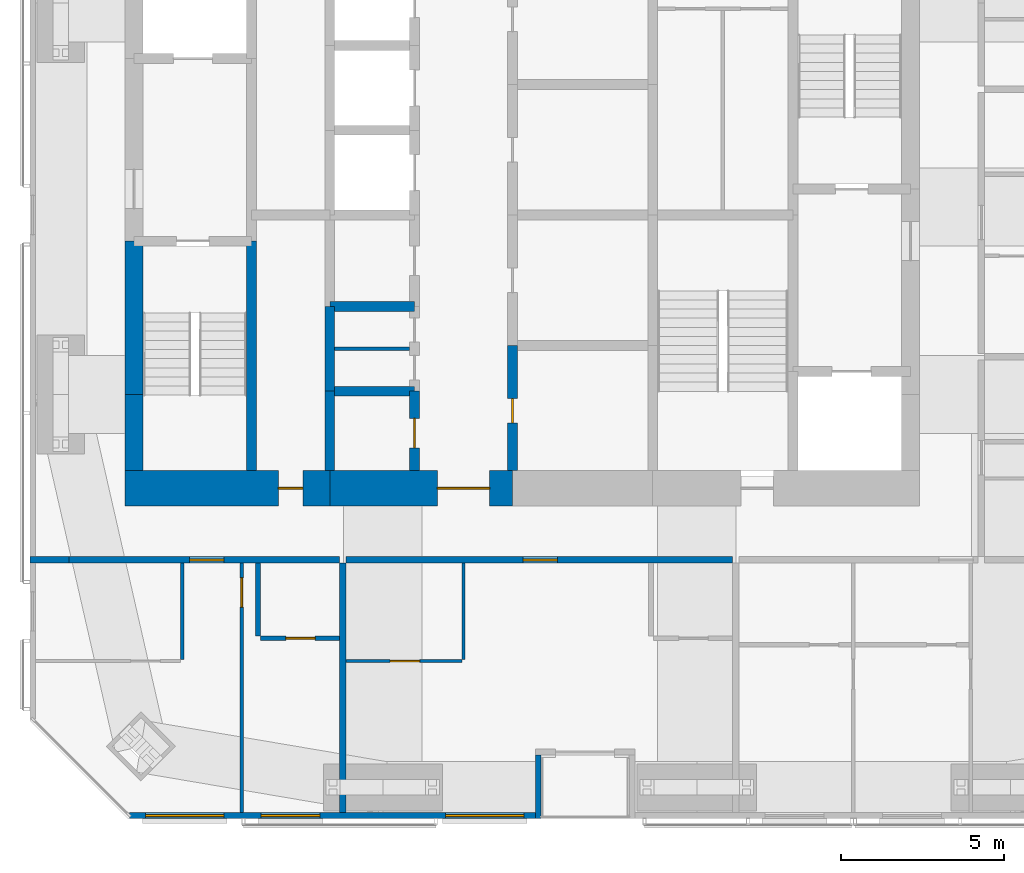
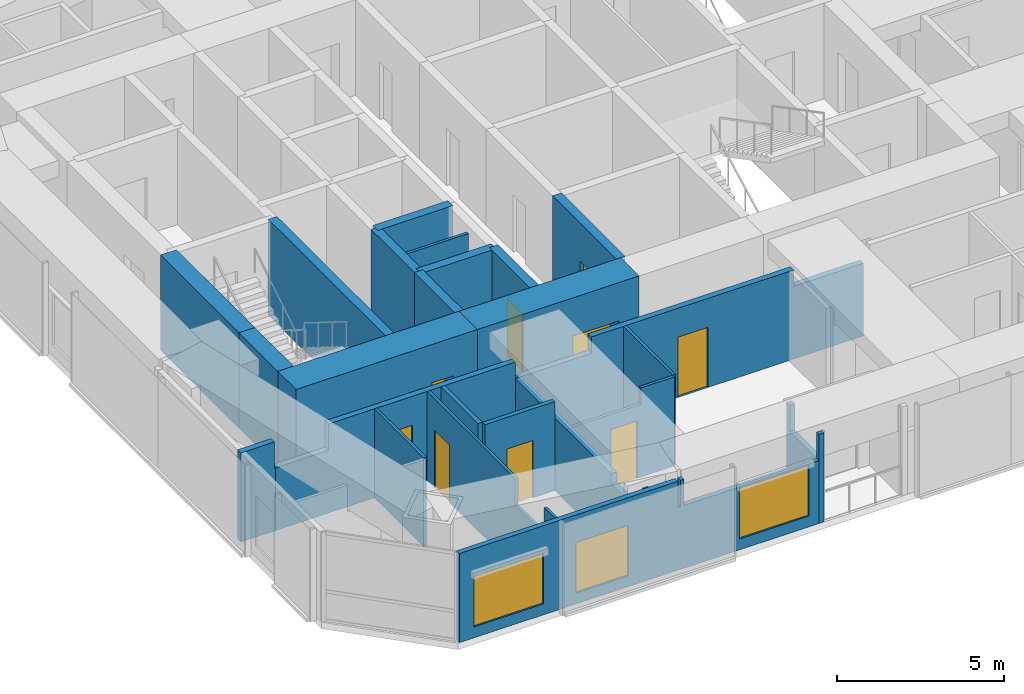
# One storey, part 13 of 19: 24 walls, 9 doors, 3 windows, 12 openings.
"""IFC4 building model written with IfcOpenShell, lengths in metres."""

from ifc_helpers import new_model, si_unit, direction, frame, frame_2d, origin, place, context, subcontext, project, spatial, polyline, rectangle, outline, extrude, material, layer, layer_set, constituent, constituent_set, type_object, element, fill, save


model = new_model("IFC4")

# Units and contexts
model_context = context("Model", 3, precision=1e-05, world=origin(), true_north=direction((0.0, 1.0)))
body_context = subcontext(model_context, "Body", "Model", "MODEL_VIEW")
ifc_project = project(units=[si_unit("LENGTHUNIT", "METRE"), si_unit("AREAUNIT", "SQUARE_METRE"), si_unit("VOLUMEUNIT", "CUBIC_METRE"), si_unit("PLANEANGLEUNIT", "RADIAN"), si_unit("MASSUNIT", "GRAM", prefix="KILO")], contexts=[model_context])

# Site, building, storey
site_placement = place(None, origin())
site = spatial("IfcSite", under=ifc_project, at=site_placement, CompositionType="ELEMENT")
building_placement = place(site_placement, origin())
building = spatial("IfcBuilding", under=site, at=building_placement, Name="Jalousie Tower", CompositionType="ELEMENT")
storey_placement = place(building_placement, frame((0.0, 0.0, 221.449951171875)))
storey = spatial("IfcBuildingStorey", under=building, at=storey_placement, Name="L60", CompositionType="ELEMENT", Elevation=221.449951171875)

# Wall, opening, door
ifc_material_1 = material(Name="Concrete block ASTM C90", Category="concrete")
ifc_constituent_1 = constituent(ifc_material_1, Name="Body")
ifc_material_2 = material(Name="Render")
ifc_constituent_2 = constituent(ifc_material_2, Name="Finish")
ifc_constituent_set_1 = constituent_set(constituents=[ifc_constituent_1, ifc_constituent_2])
wall_type_1 = type_object("IfcWallType", Name="BATHROOM WALL 150", PredefinedType="PLUMBINGWALL", material=ifc_constituent_set_1)
wall_1_placement = place(storey_placement, frame((23.875, 5.52490234375, 0.0), z_axis=(0.0, 0.0, 1.0), x_axis=(1.0, 0.0, 0.0)))
wall_1 = element("IfcWall", 1, at=wall_1_placement, inside=storey, type_object=wall_type_1, Name="Bathroom Wall 150 L60", PredefinedType="PLUMBINGWALL", context=body_context, shape_type="SweptSolid", body=[
    extrude(rectangle(XDim=2.425048828125, YDim=0.14990234375, at=frame_2d((1.21240234375, 0.0))), origin(), (0.0, 0.0, 1.0), 3.260009765625),
])
opening_1_placement = place(wall_1_placement, frame((0.77490234375, 0.0, 0.0)))
opening_1 = element("IfcOpeningElement", 2, at=opening_1_placement, cuts=wall_1, Name="Opening D3", PredefinedType="OPENING", context=body_context, shape_type="SweptSolid", body=[
    extrude(rectangle(XDim=0.89990234375, YDim=2.10009765625, at=frame_2d((0.449951171875, 1.050048828125))), frame((0.0, 0.0849609375, 0.0), z_axis=(0.0, -1.0, 0.0), x_axis=(1.0, 0.0, 0.0)), (0.0, 0.0, 1.0), 0.169921875),
])
ifc_material_3 = material(Name="Timber door", Category="wood")
door_type_1 = type_object("IfcDoorType", Name="BATHROOM DOOR 900", OperationType="SINGLE_SWING_LEFT", PredefinedType="DOOR", material=ifc_material_3)
door_1_placement = place(opening_1_placement, origin())
door_1 = element("IfcDoor", 3, at=door_1_placement, inside=storey, type_object=door_type_1, Name="Apartment 6001 bathroom door", OperationType="SINGLE_SWING_RIGHT", OverallHeight=2.10009765625, OverallWidth=0.89990234375, PredefinedType="DOOR", context=body_context, shape_type="SweptSolid", body=[
    extrude(rectangle(XDim=0.89990234375, YDim=2.10009765625, at=frame_2d((0.449951171875, 1.050048828125))), frame((0.0, 0.02490234375, 0.0), z_axis=(0.0, -1.0, 0.0), x_axis=(1.0, 0.0, 0.0)), (0.0, 0.0, 1.0), 0.050048828125),
])
fill(opening_1, door_1)

# Wall
wall_2_placement = place(storey_placement, frame((23.800048828125, 5.60009765625, 0.0), z_axis=(0.0, 0.0, 1.0), x_axis=(0.0, 1.0, 0.0)))
element("IfcWall", 4, at=wall_2_placement, inside=storey, type_object=wall_type_1, Name="Bathroom Wall 150 L60", PredefinedType="PLUMBINGWALL", context=body_context, shape_type="SweptSolid", body=[
    extrude(rectangle(XDim=2.224853515625, YDim=0.14990234375, at=frame_2d((1.1123046875, 0.0))), origin(), (0.0, 0.0, 1.0), 3.260009765625),
])

# Wall, opening, door
ifc_material_4 = material(Name="Concrete f'c 120 MPa", Category="concrete")
ifc_layer_1 = layer(ifc_material_4, 1.10009765625)
ifc_layer_set_1 = layer_set([ifc_layer_1], Name="Concrete f'c 120 MPa")
wall_type_2 = type_object("IfcWallType", Name="CORE WALL 1100", PredefinedType="SHEAR", material=ifc_layer_set_1)
wall_3_placement = place(storey_placement, frame((19.72509765625, 10.125, 0.0), z_axis=(0.0, 0.0, 1.0), x_axis=(1.0, 0.0, 0.0)))
wall_3 = element("IfcWall", 5, at=wall_3_placement, inside=storey, type_object=wall_type_2, Name="Core wall SA L60", PredefinedType="SHEAR", context=body_context, shape_type="SweptSolid", body=[
    extrude(rectangle(XDim=6.27490234375, YDim=1.10009765625, at=frame_2d((3.137451171875, 0.0))), origin(), (0.0, 0.0, 1.0), 3.5),
])
opening_2_placement = place(wall_3_placement, frame((4.699951171875, 0.0, 0.0)))
opening_2 = element("IfcOpeningElement", 6, at=opening_2_placement, cuts=wall_3, Name="Opening D16", PredefinedType="OPENING", context=body_context, shape_type="SweptSolid", body=[
    extrude(rectangle(XDim=0.75, YDim=2.10009765625, at=frame_2d((0.375, 1.050048828125))), frame((0.0, 0.56005859375, 0.0), z_axis=(0.0, -1.0, 0.0), x_axis=(1.0, 0.0, 0.0)), (0.0, 0.0, 1.0), 1.1201171875),
])
ifc_material_5 = material(Name="Steel fire door", Category="steel")
door_type_2 = type_object("IfcDoorType", Name="RISER DOOR 750", OperationType="SINGLE_SWING_LEFT", PredefinedType="DOOR", material=ifc_material_5)
door_2_placement = place(opening_2_placement, origin())
door_2 = element("IfcDoor", 7, at=door_2_placement, inside=storey, type_object=door_type_2, Name="South riser door", OperationType="SINGLE_SWING_RIGHT", OverallHeight=2.10009765625, OverallWidth=0.75, PredefinedType="DOOR", context=body_context, shape_type="SweptSolid", body=[
    extrude(rectangle(XDim=0.75, YDim=2.10009765625, at=frame_2d((0.375, 1.050048828125))), frame((0.0, 0.02490234375, 0.0), z_axis=(0.0, -1.0, 0.0), x_axis=(1.0, 0.0, 0.0)), (0.0, 0.0, 1.0), 0.050048828125),
])
fill(opening_2, door_2)

wall_4_placement = place(storey_placement, frame((26.0, 10.125, 0.0), z_axis=(0.0, 0.0, 1.0), x_axis=(1.0, 0.0, 0.0)))
wall_4 = element("IfcWall", 8, at=wall_4_placement, inside=storey, type_object=wall_type_2, Name="Core wall SB L60", PredefinedType="SHEAR", context=body_context, shape_type="SweptSolid", body=[
    extrude(rectangle(XDim=5.60009765625, YDim=1.10009765625, at=frame_2d((2.800048828125, 0.0))), origin(), (0.0, 0.0, 1.0), 3.5),
])
opening_3_placement = place(wall_4_placement, frame((3.300048828125, 0.0, 0.0)))
opening_3 = element("IfcOpeningElement", 9, at=opening_3_placement, cuts=wall_4, Name="Opening D15", PredefinedType="OPENING", context=body_context, shape_type="SweptSolid", body=[
    extrude(rectangle(XDim=1.60009765625, YDim=2.10009765625, at=frame_2d((0.800048828125, 1.050048828125))), frame((0.0, 0.56005859375, 0.0), z_axis=(0.0, -1.0, 0.0), x_axis=(1.0, 0.0, 0.0)), (0.0, 0.0, 1.0), 1.1201171875),
])
ifc_material_6 = material(Name="Steel fire door", Category="steel")
door_type_3 = type_object("IfcDoorType", Name="LIFT LOBBY DOOR 1600", OperationType="DOUBLE_DOOR_SINGLE_SWING", PredefinedType="DOOR", material=ifc_material_6)
door_3_placement = place(opening_3_placement, origin())
door_3 = element("IfcDoor", 10, at=door_3_placement, inside=storey, type_object=door_type_3, Name="Lift lobby south door", OperationType="DOUBLE_DOOR_SINGLE_SWING", OverallHeight=2.10009765625, OverallWidth=1.60009765625, PredefinedType="DOOR", context=body_context, shape_type="SweptSolid", body=[
    extrude(rectangle(XDim=1.60009765625, YDim=2.10009765625, at=frame_2d((0.800048828125, 1.050048828125))), frame((0.0, 0.02490234375, 0.0), z_axis=(0.0, -1.0, 0.0), x_axis=(1.0, 0.0, 0.0)), (0.0, 0.0, 1.0), 0.050048828125),
])
fill(opening_3, door_3)

# Walls
ifc_material_7 = material(Name="Concrete f'c 120 MPa", Category="concrete")
ifc_layer_2 = layer(ifc_material_7, 0.300048828125)
ifc_layer_set_2 = layer_set([ifc_layer_2], Name="Concrete f'c 120 MPa")
wall_type_3 = type_object("IfcWallType", Name="CORE WALL 300", PredefinedType="SHEAR", material=ifc_layer_set_2)
wall_5_placement = place(storey_placement, frame((23.60009765625, 10.675048828125, 0.0), z_axis=(0.0, 0.0, 1.0), x_axis=(0.0, 1.0, 0.0)))
element("IfcWall", 11, at=wall_5_placement, inside=storey, type_object=wall_type_3, Name="Core wall X23.6A L60", PredefinedType="SHEAR", context=body_context, shape_type="SweptSolid", body=[
    extrude(rectangle(XDim=7.02490234375, YDim=0.300048828125, at=frame_2d((3.512451171875, 0.0))), origin(), (0.0, 0.0, 1.0), 3.5),
])
wall_6_placement = place(storey_placement, frame((26.0, 10.675048828125, 0.0), z_axis=(0.0, 0.0, 1.0), x_axis=(0.0, 1.0, 0.0)))
element("IfcWall", 12, at=wall_6_placement, inside=storey, type_object=wall_type_3, Name="Core wall X26A L60", PredefinedType="SHEAR", context=body_context, shape_type="SweptSolid", body=[
    extrude(rectangle(XDim=2.425048828125, YDim=0.300048828125, at=frame_2d((1.21240234375, 0.0))), origin(), (0.0, 0.0, 1.0), 3.5),
])
wall_7_placement = place(storey_placement, frame((26.0, 13.10009765625, 0.0), z_axis=(0.0, 0.0, 1.0), x_axis=(0.0, 1.0, 0.0)))
element("IfcWall", 13, at=wall_7_placement, inside=storey, type_object=wall_type_3, Name="Core wall X26B L60", PredefinedType="SHEAR", context=body_context, shape_type="SweptSolid", body=[
    extrude(rectangle(XDim=2.599853515625, YDim=0.300048828125, at=frame_2d((1.2998046875, 0.0))), origin(), (0.0, 0.0, 1.0), 3.5),
])

# Wall, opening, door
wall_8_placement = place(storey_placement, frame((28.60009765625, 10.675048828125, 0.0), z_axis=(0.0, 0.0, 1.0), x_axis=(0.0, 1.0, 0.0)))
wall_8 = element("IfcWall", 14, at=wall_8_placement, inside=storey, type_object=wall_type_3, Name="Core wall X28.6A L60", PredefinedType="SHEAR", context=body_context, shape_type="SweptSolid", body=[
    extrude(rectangle(XDim=2.425048828125, YDim=0.300048828125, at=frame_2d((1.21240234375, 0.0))), origin(), (0.0, 0.0, 1.0), 3.5),
])
opening_4_placement = place(wall_8_placement, frame((0.6875, 0.0, 0.0)))
opening_4 = element("IfcOpeningElement", 15, at=opening_4_placement, cuts=wall_8, Name="Opening D24", PredefinedType="OPENING", context=body_context, shape_type="SweptSolid", body=[
    extrude(rectangle(XDim=0.89990234375, YDim=2.10009765625, at=frame_2d((0.449951171875, 1.050048828125))), frame((0.0, 0.159912109375, 0.0), z_axis=(0.0, -1.0, 0.0), x_axis=(1.0, 0.0, 0.0)), (0.0, 0.0, 1.0), 0.320068359375),
])
ifc_material_8 = material(Name="Steel fire door", Category="steel")
door_type_4 = type_object("IfcDoorType", Name="CORE ROOM DOOR 900", OperationType="SINGLE_SWING_LEFT", PredefinedType="DOOR", material=ifc_material_8)
door_4_placement = place(opening_4_placement, origin())
door_4 = element("IfcDoor", 16, at=door_4_placement, inside=storey, type_object=door_type_4, Name="Housekeeping store door", OperationType="SINGLE_SWING_RIGHT", OverallHeight=2.10009765625, OverallWidth=0.89990234375, PredefinedType="DOOR", context=body_context, shape_type="SweptSolid", body=[
    extrude(rectangle(XDim=0.89990234375, YDim=2.10009765625, at=frame_2d((0.449951171875, 1.050048828125))), frame((0.0, 0.02490234375, 0.0), z_axis=(0.0, -1.0, 0.0), x_axis=(1.0, 0.0, 0.0)), (0.0, 0.0, 1.0), 0.050048828125),
])
fill(opening_4, door_4)

wall_9_placement = place(storey_placement, frame((31.60009765625, 10.675048828125, 0.0), z_axis=(0.0, 0.0, 1.0), x_axis=(0.0, 1.0, 0.0)))
wall_9 = element("IfcWall", 17, at=wall_9_placement, inside=storey, type_object=wall_type_3, Name="Core wall X31.6A L60", PredefinedType="SHEAR", context=body_context, shape_type="SweptSolid", body=[
    extrude(rectangle(XDim=3.824951171875, YDim=0.300048828125, at=frame_2d((1.91259765625, 0.0))), origin(), (0.0, 0.0, 1.0), 3.5),
])
opening_5_placement = place(wall_9_placement, frame((1.449951171875, 0.0, 0.0)))
opening_5 = element("IfcOpeningElement", 18, at=opening_5_placement, cuts=wall_9, Name="Opening D16", PredefinedType="OPENING", context=body_context, shape_type="SweptSolid", body=[
    extrude(rectangle(XDim=0.75, YDim=2.10009765625, at=frame_2d((0.375, 1.050048828125))), frame((0.0, 0.159912109375, 0.0), z_axis=(0.0, -1.0, 0.0), x_axis=(1.0, 0.0, 0.0)), (0.0, 0.0, 1.0), 0.320068359375),
])
door_5_placement = place(opening_5_placement, frame((0.75, 0.0, 0.0), z_axis=(0.0, 0.0, 1.0), x_axis=(-1.0, 0.0, 0.0)))
door_5 = element("IfcDoor", 19, at=door_5_placement, inside=storey, type_object=door_type_2, Name="Refuse Room door", OperationType="SINGLE_SWING_RIGHT", OverallHeight=2.10009765625, OverallWidth=0.75, PredefinedType="DOOR", context=body_context, shape_type="SweptSolid", body=[
    extrude(rectangle(XDim=0.75, YDim=2.10009765625, at=frame_2d((0.375, 1.050048828125))), frame((0.0, 0.02490234375, 0.0), z_axis=(0.0, -1.0, 0.0), x_axis=(1.0, 0.0, 0.0)), (0.0, 0.0, 1.0), 0.050048828125),
])
fill(opening_5, door_5)

# Walls
for number, where, z_axis, x_axis, name in (
    (20, (26.0, 13.10009765625, 0.0), (0.0, 0.0, 1.0), (1.0, 0.0, 0.0), "Core wall Y26-13.1 L60"),
    (21, (26.0, 15.699951171875, 0.0), (0.0, 0.0, 1.0), (1.0, 0.0, 0.0), "Core wall Y26-15.7 L60"),
):
    element("IfcWall", number, at=place(storey_placement, frame(where, z_axis=z_axis, x_axis=x_axis)), inside=storey, type_object=wall_type_3, Name=name, PredefinedType="SHEAR", context=body_context, shape_type="SweptSolid", body=[
        extrude(rectangle(XDim=2.60009765625, YDim=0.300048828125, at=frame_2d((1.300048828125, 0.0))), origin(), (0.0, 0.0, 1.0), 3.5),
    ])
ifc_material_9 = material(Name="Concrete f'c 120 MPa", Category="concrete")
ifc_layer_3 = layer(ifc_material_9, 0.550048828125)
ifc_layer_set_3 = layer_set([ifc_layer_3], Name="Concrete f'c 120 MPa")
wall_type_4 = type_object("IfcWallType", Name="CORE WALL 550", PredefinedType="SHEAR", material=ifc_layer_set_3)
wall_10_placement = place(storey_placement, frame((20.0, 17.699951171875, 0.0), z_axis=(0.0, 0.0, 1.0), x_axis=(0.0, -1.0, 0.0)))
element("IfcWall", 22, at=wall_10_placement, inside=storey, type_object=wall_type_4, Name="Core wall WC L60", PredefinedType="SHEAR", context=body_context, shape_type="SweptSolid", body=[
    extrude(rectangle(XDim=4.699951171875, YDim=0.550048828125, at=frame_2d((2.35009765625, 0.0))), origin(), (0.0, 0.0, 1.0), 3.5),
])
wall_11_placement = place(storey_placement, frame((20.0, 13.0, 0.0), z_axis=(0.0, 0.0, 1.0), x_axis=(0.0, -1.0, 0.0)))
element("IfcWall", 23, at=wall_11_placement, inside=storey, type_object=wall_type_4, Name="Core wall WD L60", PredefinedType="SHEAR", context=body_context, shape_type="SweptSolid", body=[
    extrude(rectangle(XDim=2.324951171875, YDim=0.550048828125, at=frame_2d((1.16259765625, 0.0))), origin(), (0.0, 0.0, 1.0), 3.5),
])

# Wall, opening, door
ifc_material_10 = material(Name="Concrete block ASTM C90", Category="concrete")
ifc_constituent_3 = constituent(ifc_material_10, Name="Body")
ifc_material_11 = material(Name="Render")
ifc_constituent_4 = constituent(ifc_material_11, Name="Finish")
ifc_constituent_set_2 = constituent_set(constituents=[ifc_constituent_3, ifc_constituent_4])
wall_type_5 = type_object("IfcWallType", Name="CORRIDOR WALL 200", PredefinedType="PARTITIONING", material=ifc_constituent_set_2)
wall_12_placement = place(storey_placement, frame((18.0, 7.925048828125, 0.0), z_axis=(0.0, 0.0, 1.0), x_axis=(1.0, 0.0, 0.0)))
wall_12 = element("IfcWall", 24, at=wall_12_placement, inside=storey, type_object=wall_type_5, Name="Corridor Wall 200 L60", PredefinedType="PARTITIONING", context=body_context, shape_type="SweptSolid", body=[
    extrude(outline(polyline([(0.0, 0.0), (8.300048828125, 0.0), (8.300048828125, 3.260009765625), (1.838623046875, 3.260009765625), (1.838623046875, 2.300048828125), (0.0, 2.300048828125), (0.0, 3.260009765625), (0.0, 0.0)])), frame((0.0, 0.10009765625, 0.0), z_axis=(0.0, -1.0, 0.0), x_axis=(1.0, 0.0, 0.0)), (0.0, 0.0, 1.0), 0.199951171875),
])
opening_6_placement = place(wall_12_placement, frame((3.699951171875, 0.0, 0.0)))
opening_6 = element("IfcOpeningElement", 25, at=opening_6_placement, cuts=wall_12, Name="Opening D1", PredefinedType="OPENING", context=body_context, shape_type="SweptSolid", body=[
    extrude(rectangle(XDim=1.050048828125, YDim=2.199951171875, at=frame_2d((0.52490234375, 1.10009765625))), frame((0.0, 0.10986328125, 0.0), z_axis=(0.0, -1.0, 0.0), x_axis=(1.0, 0.0, 0.0)), (0.0, 0.0, 1.0), 0.219970703125),
])
ifc_material_12 = material(Name="Timber fire door", Category="wood")
door_type_5 = type_object("IfcDoorType", Name="APARTMENT ENTRANCE DOOR 1050", OperationType="SINGLE_SWING_LEFT", PredefinedType="DOOR", material=ifc_material_12)
door_6_placement = place(opening_6_placement, frame((1.050048828125, 0.0, 0.0), z_axis=(0.0, 0.0, 1.0), x_axis=(-1.0, 0.0, 0.0)))
door_6 = element("IfcDoor", 26, at=door_6_placement, inside=storey, type_object=door_type_5, Name="Apartment 6001 entrance", OperationType="SINGLE_SWING_RIGHT", OverallHeight=2.199951171875, OverallWidth=1.050048828125, PredefinedType="DOOR", context=body_context, shape_type="SweptSolid", body=[
    extrude(rectangle(XDim=1.050048828125, YDim=2.199951171875, at=frame_2d((0.52490234375, 1.10009765625))), frame((0.0, 0.02490234375, 0.0), z_axis=(0.0, -1.0, 0.0), x_axis=(1.0, 0.0, 0.0)), (0.0, 0.0, 1.0), 0.050048828125),
])
fill(opening_6, door_6)

wall_13_placement = place(storey_placement, frame((26.5, 7.925048828125, 0.0), z_axis=(0.0, 0.0, 1.0), x_axis=(1.0, 0.0, 0.0)))
wall_13 = element("IfcWall", 27, at=wall_13_placement, inside=storey, type_object=wall_type_5, Name="Corridor Wall 200 L60", PredefinedType="PARTITIONING", context=body_context, shape_type="SweptSolid", body=[
    extrude(outline(polyline([(0.0, 0.0), (11.85009765625, 0.0), (11.85009765625, 3.260009765625), (11.85009765625, 2.66015625), (9.43994140625, 2.66015625), (9.43994140625, 3.260009765625), (2.43505859375, 3.260009765625), (2.43505859375, 2.66015625), (0.0, 2.66015625), (0.0, 3.260009765625), (0.0, 0.0)])), frame((0.0, 0.10009765625, 0.0), z_axis=(0.0, -1.0, 0.0), x_axis=(1.0, 0.0, 0.0)), (0.0, 0.0, 1.0), 0.199951171875),
])
opening_7_placement = place(wall_13_placement, frame((5.425048828125, 0.0, 0.0)))
opening_7 = element("IfcOpeningElement", 28, at=opening_7_placement, cuts=wall_13, Name="Opening D1", PredefinedType="OPENING", context=body_context, shape_type="SweptSolid", body=[
    extrude(rectangle(XDim=1.050048828125, YDim=2.199951171875, at=frame_2d((0.52490234375, 1.10009765625))), frame((0.0, 0.10986328125, 0.0), z_axis=(0.0, -1.0, 0.0), x_axis=(1.0, 0.0, 0.0)), (0.0, 0.0, 1.0), 0.219970703125),
])
door_7_placement = place(opening_7_placement, frame((1.050048828125, 0.0, 0.0), z_axis=(0.0, 0.0, 1.0), x_axis=(-1.0, 0.0, 0.0)))
door_7 = element("IfcDoor", 29, at=door_7_placement, inside=storey, type_object=door_type_5, Name="Apartment 6002 entrance", OperationType="SINGLE_SWING_RIGHT", OverallHeight=2.199951171875, OverallWidth=1.050048828125, PredefinedType="DOOR", context=body_context, shape_type="SweptSolid", body=[
    extrude(rectangle(XDim=1.050048828125, YDim=2.199951171875, at=frame_2d((0.52490234375, 1.10009765625))), frame((0.0, 0.02490234375, 0.0), z_axis=(0.0, -1.0, 0.0), x_axis=(1.0, 0.0, 0.0)), (0.0, 0.0, 1.0), 0.050048828125),
])
fill(opening_7, door_7)

# Wall, openings, windows
ifc_material_13 = material(Name="Concrete f'c 40 MPa", Category="concrete")
ifc_constituent_5 = constituent(ifc_material_13, Name="Body")
ifc_material_14 = material(Name="Render, pastel sky blue")
ifc_constituent_6 = constituent(ifc_material_14, Name="Finish")
ifc_constituent_set_3 = constituent_set(constituents=[ifc_constituent_5, ifc_constituent_6])
wall_type_6 = type_object("IfcWallType", Name="EXTERNAL WALL 175 SKY BLUE RENDER", PredefinedType="SOLIDWALL", material=ifc_constituent_set_3)
wall_14_placement = place(storey_placement, frame((19.851318359375, 0.08740234375, 0.0), z_axis=(0.0, 0.0, 1.0), x_axis=(1.0, 0.0, 0.0)))
wall_14 = element("IfcWall", 30, at=wall_14_placement, inside=storey, type_object=wall_type_6, Name="External Wall 175 Sky Blue Render L60", PredefinedType="SOLIDWALL", context=body_context, shape_type="SweptSolid", body=[
    extrude(outline(polyline([(0.0, 0.0), (12.44873046875, 0.0), (12.44873046875, 2.300048828125), (7.773681640625, 2.300048828125), (7.773681640625, 3.260009765625), (7.642333984375, 3.260009765625), (7.642333984375, 2.300048828125), (7.558837890625, 2.300048828125), (7.558837890625, 3.260009765625), (0.0, 3.260009765625), (0.0, 0.0)])), frame((0.0, 0.08740234375, 0.0), z_axis=(0.0, -1.0, 0.0), x_axis=(1.0, 0.0, 0.0)), (0.0, 0.0, 1.0), 0.175048828125),
])
opening_8_placement = place(wall_14_placement, frame((0.49951171875, 0.0, 0.39990234375)))
opening_8 = element("IfcOpeningElement", 31, at=opening_8_placement, cuts=wall_14, Name="Opening W-LIV185", PredefinedType="OPENING", context=body_context, shape_type="SweptSolid", body=[
    extrude(rectangle(XDim=2.39990234375, YDim=1.85009765625, at=frame_2d((1.199951171875, 0.925048828125))), frame((0.0, 0.097412109375, 0.0), z_axis=(0.0, -1.0, 0.0), x_axis=(1.0, 0.0, 0.0)), (0.0, 0.0, 1.0), 0.195068359375),
])
opening_9_placement = place(wall_14_placement, frame((4.0400390625, 0.0, 0.39990234375)))
opening_9 = element("IfcOpeningElement", 32, at=opening_9_placement, cuts=wall_14, Name="Opening W-BED185", PredefinedType="OPENING", context=body_context, shape_type="SweptSolid", body=[
    extrude(rectangle(XDim=1.800048828125, YDim=1.85009765625, at=frame_2d((0.89990234375, 0.925048828125))), frame((0.0, 0.097412109375, 0.0), z_axis=(0.0, -1.0, 0.0), x_axis=(1.0, 0.0, 0.0)), (0.0, 0.0, 1.0), 0.195068359375),
])
opening_10_placement = place(wall_14_placement, frame((9.69873046875, 0.0, 0.39990234375)))
opening_10 = element("IfcOpeningElement", 33, at=opening_10_placement, cuts=wall_14, Name="Opening W-LIV185", PredefinedType="OPENING", context=body_context, shape_type="SweptSolid", body=[
    extrude(rectangle(XDim=2.39990234375, YDim=1.85009765625, at=frame_2d((1.199951171875, 0.925048828125))), frame((0.0, 0.097412109375, 0.0), z_axis=(0.0, -1.0, 0.0), x_axis=(1.0, 0.0, 0.0)), (0.0, 0.0, 1.0), 0.195068359375),
])
ifc_material_15 = material(Name="Aluminium frame, impact-rated glazing", Category="aluminium")
window_type_1 = type_object("IfcWindowType", Name="WINDOW BED 1800x1850", PartitioningType="SINGLE_PANEL", PredefinedType="WINDOW", material=ifc_material_15)
window_1_placement = place(opening_9_placement, origin())
window_1 = element("IfcWindow", 34, at=window_1_placement, inside=storey, type_object=window_type_1, Name="Apartment 6001 study window", OverallHeight=1.85009765625, OverallWidth=1.800048828125, PartitioningType="SINGLE_PANEL", PredefinedType="WINDOW", context=body_context, shape_type="SweptSolid", body=[
    extrude(rectangle(XDim=1.800048828125, YDim=1.85009765625, at=frame_2d((0.89990234375, 0.925048828125))), frame((0.0, 0.030029296875, 0.0), z_axis=(0.0, -1.0, 0.0), x_axis=(1.0, 0.0, 0.0)), (0.0, 0.0, 1.0), 0.06005859375),
])
fill(opening_9, window_1)
ifc_material_16 = material(Name="Aluminium frame, impact-rated glazing", Category="aluminium")
window_type_2 = type_object("IfcWindowType", Name="WINDOW LIV 2400x1850", PartitioningType="DOUBLE_PANEL_VERTICAL", PredefinedType="WINDOW", material=ifc_material_16)
window_2_placement = place(opening_8_placement, origin())
window_2 = element("IfcWindow", 35, at=window_2_placement, inside=storey, type_object=window_type_2, Name="Apartment 6001 studio living and sleeping room window", OverallHeight=1.85009765625, OverallWidth=2.39990234375, PartitioningType="SINGLE_PANEL", PredefinedType="WINDOW", context=body_context, shape_type="SweptSolid", body=[
    extrude(rectangle(XDim=2.39990234375, YDim=1.85009765625, at=frame_2d((1.199951171875, 0.925048828125))), frame((0.0, 0.030029296875, 0.0), z_axis=(0.0, -1.0, 0.0), x_axis=(1.0, 0.0, 0.0)), (0.0, 0.0, 1.0), 0.06005859375),
])
fill(opening_8, window_2)
window_3_placement = place(opening_10_placement, origin())
window_3 = element("IfcWindow", 36, at=window_3_placement, inside=storey, type_object=window_type_2, Name="Apartment 6002 studio living and sleeping room window", OverallHeight=1.85009765625, OverallWidth=2.39990234375, PartitioningType="SINGLE_PANEL", PredefinedType="WINDOW", context=body_context, shape_type="SweptSolid", body=[
    extrude(rectangle(XDim=2.39990234375, YDim=1.85009765625, at=frame_2d((1.199951171875, 0.925048828125))), frame((0.0, 0.030029296875, 0.0), z_axis=(0.0, -1.0, 0.0), x_axis=(1.0, 0.0, 0.0)), (0.0, 0.0, 1.0), 0.06005859375),
])
fill(opening_10, window_3)

# Wall
wall_15_placement = place(storey_placement, frame((32.387451171875, 0.0, 0.0), z_axis=(0.0, 0.0, 1.0), x_axis=(0.0, 1.0, 0.0)))
element("IfcWall", 37, at=wall_15_placement, inside=storey, type_object=wall_type_6, Name="External Wall 175 Sky Blue Render L60", PredefinedType="SOLIDWALL", context=body_context, shape_type="SweptSolid", body=[
    extrude(outline(polyline([(0.0, 0.0), (1.949951171875, 0.0), (1.949951171875, 3.260009765625), (1.75, 3.260009765625), (1.75, 2.300048828125), (0.14990234375, 2.300048828125), (0.14990234375, 3.260009765625), (0.0, 3.260009765625), (0.0, 0.0)])), frame((0.0, 0.08740234375, 0.0), z_axis=(0.0, -1.0, 0.0), x_axis=(1.0, 0.0, 0.0)), (0.0, 0.0, 1.0), 0.175048828125),
])

# Wall, opening, door
ifc_material_17 = material(Name="Gypsum board", Category="gypsum")
ifc_constituent_7 = constituent(ifc_material_17, Name="Body")
ifc_material_18 = material(Name="Light-gauge steel studs ASTM A653 SS Grade 33", Category="steel")
ifc_constituent_8 = constituent(ifc_material_18, Name="Framing")
ifc_constituent_set_4 = constituent_set(constituents=[ifc_constituent_7, ifc_constituent_8])
wall_type_7 = type_object("IfcWallType", Name="PARTITION 100", PredefinedType="PARTITIONING", material=ifc_constituent_set_4)
wall_16_placement = place(storey_placement, frame((23.300048828125, 0.175048828125, 0.0), z_axis=(0.0, 0.0, 1.0), x_axis=(0.0, 1.0, 0.0)))
wall_16 = element("IfcWall", 38, at=wall_16_placement, inside=storey, type_object=wall_type_7, Name="Partition 100 L60", PredefinedType="PARTITIONING", context=body_context, shape_type="SweptSolid", body=[
    extrude(outline(polyline([(0.0, 0.0), (7.64990234375, 0.0), (7.64990234375, 3.260009765625), (2.380126953125, 3.260009765625), (2.380126953125, 2.300048828125), (0.6357421875, 2.300048828125), (0.6357421875, 3.260009765625), (0.0, 3.260009765625), (0.0, 0.0)])), frame((0.0, 0.050048828125, 0.0), z_axis=(0.0, -1.0, 0.0), x_axis=(1.0, 0.0, 0.0)), (0.0, 0.0, 1.0), 0.10009765625),
])
opening_11_placement = place(wall_16_placement, frame((6.300048828125, 0.0, 0.0)))
opening_11 = element("IfcOpeningElement", 39, at=opening_11_placement, cuts=wall_16, Name="Opening D2", PredefinedType="OPENING", context=body_context, shape_type="SweptSolid", body=[
    extrude(rectangle(XDim=0.89990234375, YDim=2.10009765625, at=frame_2d((0.449951171875, 1.050048828125))), frame((0.0, 0.06005859375, 0.0), z_axis=(0.0, -1.0, 0.0), x_axis=(1.0, 0.0, 0.0)), (0.0, 0.0, 1.0), 0.1201171875),
])
ifc_material_19 = material(Name="Timber door", Category="wood")
door_type_6 = type_object("IfcDoorType", Name="BEDROOM DOOR 900", OperationType="SINGLE_SWING_LEFT", PredefinedType="DOOR", material=ifc_material_19)
door_8_placement = place(opening_11_placement, origin())
door_8 = element("IfcDoor", 40, at=door_8_placement, inside=storey, type_object=door_type_6, Name="Apartment 6001 study door", OperationType="SINGLE_SWING_RIGHT", OverallHeight=2.10009765625, OverallWidth=0.89990234375, PredefinedType="DOOR", context=body_context, shape_type="SweptSolid", body=[
    extrude(rectangle(XDim=0.89990234375, YDim=2.10009765625, at=frame_2d((0.449951171875, 1.050048828125))), frame((0.0, 0.02490234375, 0.0), z_axis=(0.0, -1.0, 0.0), x_axis=(1.0, 0.0, 0.0)), (0.0, 0.0, 1.0), 0.050048828125),
])
fill(opening_11, door_8)

# Wall
wall_17_placement = place(storey_placement, frame((21.47509765625, 4.875, 0.0), z_axis=(0.0, 0.0, 1.0), x_axis=(0.0, 1.0, 0.0)))
element("IfcWall", 41, at=wall_17_placement, inside=storey, type_object=wall_type_7, Name="Partition 100 L60", PredefinedType="PARTITIONING", context=body_context, shape_type="SweptSolid", body=[
    extrude(rectangle(XDim=2.949951171875, YDim=0.10009765625, at=frame_2d((1.47509765625, 0.0))), origin(), (0.0, 0.0, 1.0), 3.260009765625),
])

# Wall, opening, door
wall_18_placement = place(storey_placement, frame((26.5, 4.824951171875, 0.0), z_axis=(0.0, 0.0, 1.0), x_axis=(1.0, 0.0, 0.0)))
wall_18 = element("IfcWall", 42, at=wall_18_placement, inside=storey, type_object=wall_type_7, Name="Partition 100 L60", PredefinedType="PARTITIONING", context=body_context, shape_type="SweptSolid", body=[
    extrude(outline(polyline([(0.0, 0.0), (3.550048828125, 0.0), (3.550048828125, 3.260009765625), (2.385009765625, 3.260009765625), (2.385009765625, 2.66015625), (0.0, 2.66015625), (0.0, 3.260009765625), (0.0, 0.0)])), frame((0.0, 0.050048828125, 0.0), z_axis=(0.0, -1.0, 0.0), x_axis=(1.0, 0.0, 0.0)), (0.0, 0.0, 1.0), 0.10009765625),
])
opening_12_placement = place(wall_18_placement, frame((1.35009765625, 0.0, 0.0)))
opening_12 = element("IfcOpeningElement", 43, at=opening_12_placement, cuts=wall_18, Name="Opening D7", PredefinedType="OPENING", context=body_context, shape_type="SweptSolid", body=[
    extrude(rectangle(XDim=0.89990234375, YDim=2.10009765625, at=frame_2d((0.449951171875, 1.050048828125))), frame((0.0, 0.06005859375, 0.0), z_axis=(0.0, -1.0, 0.0), x_axis=(1.0, 0.0, 0.0)), (0.0, 0.0, 1.0), 0.1201171875),
])
ifc_material_20 = material(Name="Timber door", Category="wood")
door_type_7 = type_object("IfcDoorType", Name="INTERNAL DOOR 900", OperationType="SINGLE_SWING_LEFT", PredefinedType="DOOR", material=ifc_material_20)
door_9_placement = place(opening_12_placement, origin())
door_9 = element("IfcDoor", 44, at=door_9_placement, inside=storey, type_object=door_type_7, Name="Apartment 6002 kitchen door", OperationType="SINGLE_SWING_RIGHT", OverallHeight=2.10009765625, OverallWidth=0.89990234375, PredefinedType="DOOR", context=body_context, shape_type="SweptSolid", body=[
    extrude(rectangle(XDim=0.89990234375, YDim=2.10009765625, at=frame_2d((0.449951171875, 1.050048828125))), frame((0.0, 0.02490234375, 0.0), z_axis=(0.0, -1.0, 0.0), x_axis=(1.0, 0.0, 0.0)), (0.0, 0.0, 1.0), 0.050048828125),
])
fill(opening_12, door_9)

# Walls
wall_19_placement = place(storey_placement, frame((30.10009765625, 4.875, 0.0), z_axis=(0.0, 0.0, 1.0), x_axis=(0.0, 1.0, 0.0)))
element("IfcWall", 45, at=wall_19_placement, inside=storey, type_object=wall_type_7, Name="Partition 100 L60", PredefinedType="PARTITIONING", context=body_context, shape_type="SweptSolid", body=[
    extrude(rectangle(XDim=2.949951171875, YDim=0.10009765625, at=frame_2d((1.47509765625, 0.0))), origin(), (0.0, 0.0, 1.0), 3.260009765625),
])
wall_20_placement = place(storey_placement, frame((26.14990234375, 14.39990234375, 0.0), z_axis=(0.0, 0.0, 1.0), x_axis=(1.0, 0.0, 0.0)))
element("IfcWall", 46, at=wall_20_placement, inside=storey, type_object=wall_type_7, Name="Partition 100 L60", PredefinedType="PARTITIONING", context=body_context, shape_type="SweptSolid", body=[
    extrude(rectangle(XDim=2.300048828125, YDim=0.10009765625, at=frame_2d((1.14990234375, 0.0))), origin(), (0.0, 0.0, 1.0), 3.260009765625),
])
ifc_material_21 = material(Name="Concrete block ASTM C90", Category="concrete")
ifc_constituent_9 = constituent(ifc_material_21, Name="Body")
ifc_material_22 = material(Name="Render")
ifc_constituent_10 = constituent(ifc_material_22, Name="Finish")
ifc_constituent_set_5 = constituent_set(constituents=[ifc_constituent_9, ifc_constituent_10])
wall_type_8 = type_object("IfcWallType", Name="PARTY WALL 200", PredefinedType="PARTITIONING", material=ifc_constituent_set_5)
wall_21_placement = place(storey_placement, frame((26.39990234375, 0.175048828125, 0.0), z_axis=(0.0, 0.0, 1.0), x_axis=(0.0, 1.0, 0.0)))
element("IfcWall", 47, at=wall_21_placement, inside=storey, type_object=wall_type_8, Name="Party Wall 200 L60", PredefinedType="PARTITIONING", context=body_context, shape_type="SweptSolid", body=[
    extrude(outline(polyline([(0.0595703125, 3.260009765625), (0.0, 3.260009765625), (0.0, 0.0), (0.52880859375, 0.0), (0.52880859375, 0.309814453125), (1.021240234375, 0.309814453125), (1.021240234375, 0.0), (7.64990234375, 0.0), (7.64990234375, 2.66015625), (1.905517578125, 2.66015625), (1.905517578125, 2.300048828125), (1.021240234375, 2.300048828125), (1.021240234375, 1.990234375), (0.52880859375, 1.990234375), (0.52880859375, 2.300048828125), (0.0595703125, 2.300048828125), (0.0595703125, 3.260009765625)])), frame((0.0, 0.10009765625, 0.0), z_axis=(0.0, -1.0, 0.0), x_axis=(1.0, 0.0, 0.0)), (0.0, 0.0, 1.0), 0.199951171875),
])
wall_22_placement = place(storey_placement, frame((16.800048828125, 7.925048828125, 0.0), z_axis=(0.0, 0.0, 1.0), x_axis=(1.0, 0.0, 0.0)))
element("IfcWall", 48, at=wall_22_placement, inside=storey, type_object=wall_type_8, Name="Party Wall 200 L60", PredefinedType="PARTITIONING", context=body_context, shape_type="SweptSolid", body=[
    extrude(outline(polyline([(0.0, 0.0), (1.199951171875, 0.0), (1.199951171875, 3.260009765625), (1.199951171875, 2.300048828125), (1.172119140625, 2.300048828125), (1.172119140625, 3.260009765625), (0.0, 3.260009765625), (0.0, 0.0)])), frame((0.0, 0.10009765625, 0.0), z_axis=(0.0, -1.0, 0.0), x_axis=(1.0, 0.0, 0.0)), (0.0, 0.0, 1.0), 0.199951171875),
])

save(model, "model.ifc")
